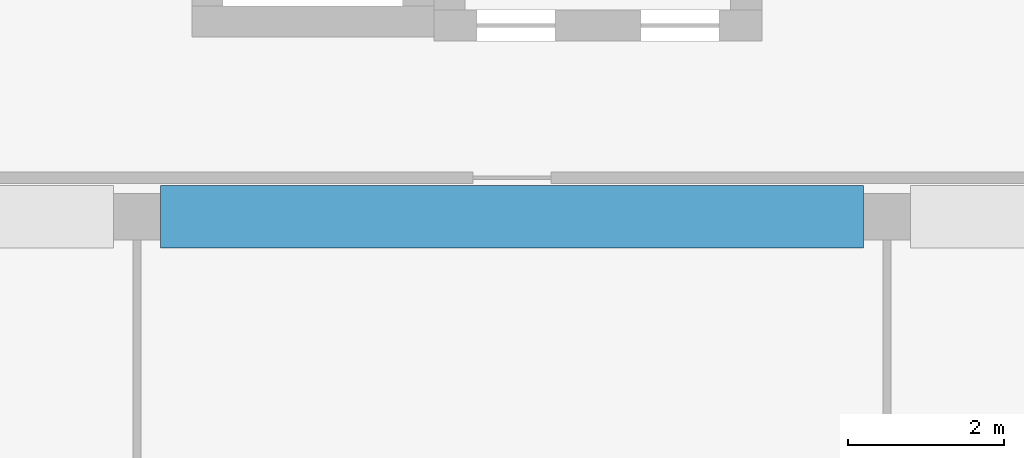
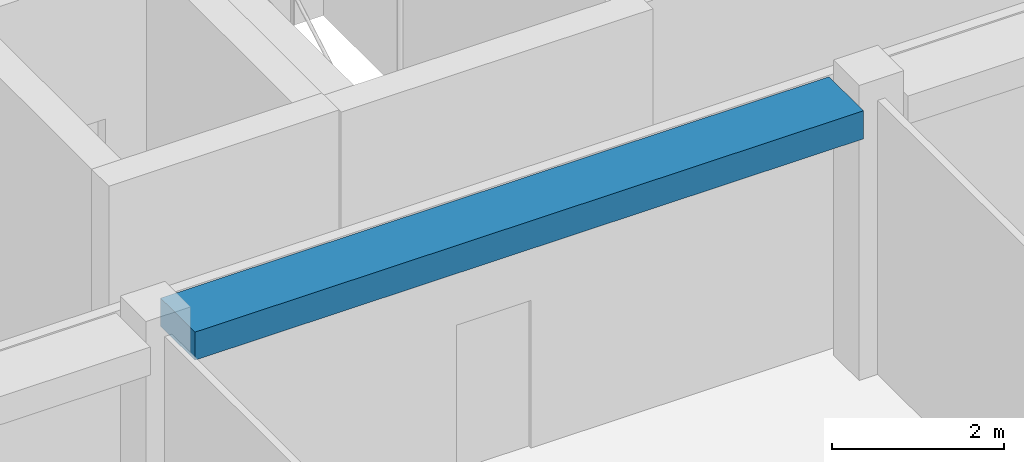
# One storey, part 5 of 28: 1 beam.
"""IFC4 building model written with IfcOpenShell, lengths in metres."""

import ifcopenshell
import ifcopenshell.guid

model = None  # the IFC model being written
_history = None  # IfcOwnerHistory: only IFC2X3 demands one
_inside = {}  # id of a spatial element -> (the spatial element, [elements in it])
_under = {}  # id of a project, library or spatial element -> (it, [spatial elements below it])
_declared = {}  # id of a project -> (the project, [libraries it declares])
_typed = {}  # id of a type object -> (the type object, [elements of that type])
_made_of = {}  # id of a material, layer set ... -> (it, [elements and type objects made of it])


def new_model(schema):
    """Start an empty IFC model of exactly this schema.

    Asked for "IFC4X3", IfcOpenShell would pick the latest addendum, in which some entities
    have other attributes; the version numbers below select the first issue.
    IFC2X3 requires an IfcOwnerHistory on every rooted entity: one is made here for all.
    """
    global model, _history
    if schema == "IFC4X3":
        model = ifcopenshell.file(schema_version=(4, 3, 0, 0))
    else:
        model = ifcopenshell.file(schema=schema)
    _inside.clear()
    _under.clear()
    _declared.clear()
    _typed.clear()
    _made_of.clear()
    _history = None
    if model.schema == "IFC2X3":
        org = make("IfcOrganization", Name="unknown")
        user = make(
            "IfcPersonAndOrganization",
            ThePerson=make("IfcPerson", FamilyName="unknown"),
            TheOrganization=org,
        )
        app = make(
            "IfcApplication",
            ApplicationDeveloper=org,
            Version="unknown",
            ApplicationFullName="unknown",
            ApplicationIdentifier="unknown",
        )
        _history = make(
            "IfcOwnerHistory",
            OwningUser=user,
            OwningApplication=app,
            ChangeAction="ADDED",
            CreationDate=0,
        )
    return model


def make(cls, **values):
    """One entity of the class cls with the attributes given. An attribute that is None is left unset."""
    return model.create_entity(
        cls, **{name: value for name, value in values.items() if value is not None}
    )


def rooted(cls, **values):
    """An entity with a GlobalId (a new one), such as an element, a storey or a relation."""
    return make(cls, GlobalId=ifcopenshell.guid.new(), OwnerHistory=_history, **values)


def si_unit(unit_type, name, prefix=None):
    """IfcSIUnit, for example si_unit("LENGTHUNIT", "METRE", prefix="MILLI")."""
    return make("IfcSIUnit", UnitType=unit_type, Prefix=prefix, Name=name)


def assignment(units):
    """IfcUnitAssignment: the units of a project."""
    return None if units is None else make("IfcUnitAssignment", Units=units)


def point(xyz):
    """IfcCartesianPoint."""
    return None if xyz is None else make("IfcCartesianPoint", Coordinates=xyz)


def direction(xyz):
    """IfcDirection."""
    return None if xyz is None else make("IfcDirection", DirectionRatios=xyz)


def frame(location, z_axis=None, x_axis=None):
    """IfcAxis2Placement3D, a coordinate frame: its origin and axes. An axis left out is left unset."""
    return make(
        "IfcAxis2Placement3D",
        Location=point(location),
        Axis=direction(z_axis),
        RefDirection=direction(x_axis),
    )


def frame_2d(location, x_axis=None):
    """IfcAxis2Placement2D, a coordinate frame in the plane: its origin and x axis."""
    return make(
        "IfcAxis2Placement2D", Location=point(location), RefDirection=direction(x_axis)
    )


def origin():
    """The frame at (0, 0, 0) with its axes left unset."""
    return frame((0.0, 0.0, 0.0))


def origin_2d():
    """The frame at (0, 0) in the plane with its x axis left unset."""
    return frame_2d((0.0, 0.0))


def place(relative_to, where):
    """IfcLocalPlacement: puts the frame where relative to a parent placement (None: the world)."""
    return make(
        "IfcLocalPlacement", PlacementRelTo=relative_to, RelativePlacement=where
    )


def context(
    kind, dimensions, precision=None, world=None, true_north=None, identifier=None
):
    """IfcGeometricRepresentationContext, for example the 3D "Model" context."""
    return make(
        "IfcGeometricRepresentationContext",
        ContextIdentifier=identifier,
        ContextType=kind,
        CoordinateSpaceDimension=dimensions,
        Precision=precision,
        WorldCoordinateSystem=world,
        TrueNorth=true_north,
    )


def subcontext(parent, identifier, kind, view, scale=None):
    """IfcGeometricRepresentationSubContext, for example "Body" below "Model"."""
    return make(
        "IfcGeometricRepresentationSubContext",
        ContextIdentifier=identifier,
        ContextType=kind,
        ParentContext=parent,
        TargetScale=scale,
        TargetView=view,
    )


def project(units=None, contexts=None):
    """IfcProject with its units and contexts."""
    return rooted(
        "IfcProject",
        Name="project",
        RepresentationContexts=contexts,
        UnitsInContext=assignment(units),
    )


def spatial(cls, under=None, at=None, **own):
    """A site, building, storey or space (cls), placed at a placement, below another one or the project."""
    s = rooted(cls, ObjectPlacement=at, **own)
    if under is not None:
        _under.setdefault(under.id(), (under, []))[1].append(s)
    return s


def profile(cls, at=None, kind="AREA", **sizes):
    """A parametric profile (cls). Its sizes go by their IFC names, for example OverallWidth=200.0."""
    return make(cls, ProfileType=kind, Position=at, **sizes)


def rectangle(**sizes):
    """IfcRectangleProfileDef."""
    return profile("IfcRectangleProfileDef", **sizes)


def extrude(swept, where, along, depth):
    """IfcExtrudedAreaSolid: the profile swept, set in the frame where, extruded along a direction by depth."""
    return make(
        "IfcExtrudedAreaSolid",
        SweptArea=swept,
        Position=where,
        ExtrudedDirection=direction(along),
        Depth=depth,
    )


def shape(context_of_items, identifier, shape_type, items):
    """IfcShapeRepresentation: the items that make up one representation, for example the "Body"."""
    return make(
        "IfcShapeRepresentation",
        ContextOfItems=context_of_items,
        RepresentationIdentifier=identifier,
        RepresentationType=shape_type,
        Items=items,
    )


def material(Name=None, Category=None):
    """IfcMaterial."""
    return make("IfcMaterial", Name=Name, Category=Category)


def material_profile(
    of_material, cross_section, Name=None, Category=None, Priority=None
):
    """IfcMaterialProfile: a cross section and its material."""
    return make(
        "IfcMaterialProfile",
        Name=Name,
        Material=of_material,
        Profile=cross_section,
        Priority=Priority,
        Category=Category,
    )


def profile_set(profiles, Name=None, composite=None):
    """IfcMaterialProfileSet."""
    return make(
        "IfcMaterialProfileSet",
        Name=Name,
        MaterialProfiles=profiles,
        CompositeProfile=composite,
    )


def made_of(thing, what):
    """Note that an element or type object is made of a material, layer set ...; save() writes the relation."""
    if what is not None:
        _made_of.setdefault(what.id(), (what, []))[1].append(thing)
    return thing


def type_object(cls, material=None, **own):
    """A type object (cls), such as IfcWallType, which elements share."""
    return made_of(rooted(cls, **own), material)


def element(
    cls,
    number,
    at=None,
    inside=None,
    cuts=None,
    type_object=None,
    material=None,
    context=None,
    identifier="Body",
    shape_type=None,
    held_by="IfcProductDefinitionShape",
    body=None,
    shapes=None,
    **own,
):
    """One element of the class cls, such as IfcWall. Its Tag is "e" and its number.

    at: its placement. inside: the storey or other place that contains it. cuts: it is an
    opening in that element (IfcRelVoidsElement). A single representation is given by context,
    identifier, shape_type and body (its items); several are given by shapes. held_by: the class
    of the entity that holds the representations. save() writes the other relations.
    """
    e = rooted(cls, Tag="e%d" % number, ObjectPlacement=at, **own)
    if body is not None:
        shapes = [shape(context, identifier, shape_type, body)]
    if shapes is not None:
        e.Representation = make(held_by, Representations=shapes)
    if inside is not None:
        _inside.setdefault(inside.id(), (inside, []))[1].append(e)
    if cuts is not None:
        rooted(
            "IfcRelVoidsElement", RelatingBuildingElement=cuts, RelatedOpeningElement=e
        )
    if type_object is not None:
        _typed.setdefault(type_object.id(), (type_object, []))[1].append(e)
    return made_of(e, material)


def aggregate(whole, parts):
    """IfcRelAggregates: a whole, such as a stair, and the parts it consists of."""
    return rooted("IfcRelAggregates", RelatingObject=whole, RelatedObjects=parts)


def save(model, path):
    """Write the relations noted so far, then the file.

    IfcRelAggregates (storeys below a building ...), IfcRelContainedInSpatialStructure (elements
    in a storey), IfcRelDefinesByType, IfcRelAssociatesMaterial and IfcRelDeclares: one each for
    every whole, place, type object, material and project.
    """
    for whole, parts in _under.values():
        aggregate(whole, parts)
    for where, things in _inside.values():
        rooted(
            "IfcRelContainedInSpatialStructure",
            RelatedElements=things,
            RelatingStructure=where,
        )
    for kind, things in _typed.values():
        rooted("IfcRelDefinesByType", RelatedObjects=things, RelatingType=kind)
    for what, things in _made_of.values():
        rooted("IfcRelAssociatesMaterial", RelatedObjects=things, RelatingMaterial=what)
    for by, libraries in _declared.values():
        rooted("IfcRelDeclares", RelatingContext=by, RelatedDefinitions=libraries)
    model.write(path)


model = new_model("IFC4")

# Units and contexts
model_context = context("Model", 3, precision=1e-05, world=origin(), true_north=direction((0.0, 1.0)))
body_context = subcontext(model_context, "Body", "Model", "MODEL_VIEW")
ifc_project = project(units=[si_unit("LENGTHUNIT", "METRE"), si_unit("AREAUNIT", "SQUARE_METRE"), si_unit("VOLUMEUNIT", "CUBIC_METRE"), si_unit("PLANEANGLEUNIT", "RADIAN"), si_unit("MASSUNIT", "GRAM", prefix="KILO")], contexts=[model_context])

# Site, building, storey
site_placement = place(None, origin())
site = spatial("IfcSite", under=ifc_project, at=site_placement, CompositionType="ELEMENT")
building_placement = place(site_placement, origin())
building = spatial("IfcBuilding", under=site, at=building_placement, Name="Nzadi Deep Aquarium and Research Tower", CompositionType="ELEMENT")
storey_placement = place(building_placement, frame((0.0, 0.0, 73.89990234375)))
storey = spatial("IfcBuildingStorey", under=building, at=storey_placement, Name="L15", CompositionType="ELEMENT", Elevation=73.89990234375)

# Beam
ifc_material = material(Name="Concrete C35/45", Category="concrete")
ifc_material_profile = material_profile(ifc_material, rectangle(XDim=0.800048828125, YDim=0.39990234375, at=origin_2d()))
ifc_profile_set = profile_set([ifc_material_profile], Name="Concrete C35/45")
beam_type = type_object("IfcBeamType", Name="RC 800x400", PredefinedType="BEAM", material=ifc_profile_set)
beam_placement = place(storey_placement, frame((19.5, 9.199951171875, 3.7001953125), z_axis=(1.0, 0.0, 0.0), x_axis=(0.0, 1.0, 0.0)))
element("IfcBeam", 1, at=beam_placement, inside=storey, type_object=beam_type, Name="B-Z1-L15-L2-3", PredefinedType="BEAM", context=body_context, shape_type="SweptSolid", body=[
    extrude(rectangle(XDim=0.800048828125, YDim=0.39990234375, at=origin_2d()), origin(), (0.0, 0.0, 1.0), 9.0),
])

save(model, "model.ifc")
